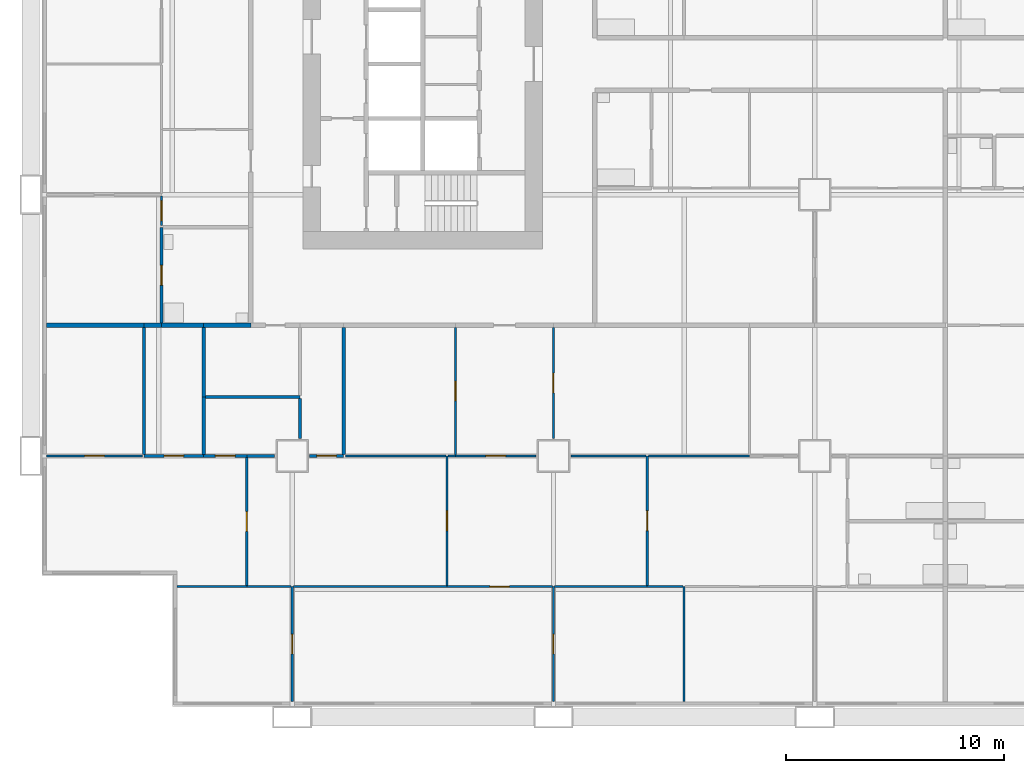
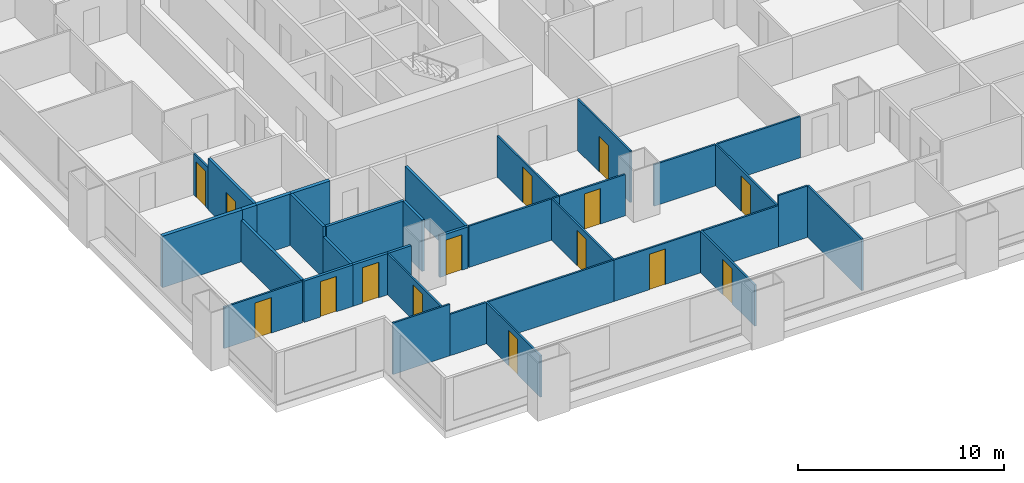
# One storey, part 2 of 13: 36 walls, 15 doors, 15 openings.
"""IFC4 building model written with IfcOpenShell, lengths in metres."""

from ifc_helpers import new_model, si_unit, direction, frame, frame_2d, origin, place, context, subcontext, project, spatial, rectangle, extrude, material, layer, layer_set, type_object, element, fill, save


model = new_model("IFC4")

# Units and contexts
model_context = context("Model", 3, precision=1e-05, world=origin(), true_north=direction((0.0, 1.0)))
body_context = subcontext(model_context, "Body", "Model", "MODEL_VIEW")
ifc_project = project(units=[si_unit("LENGTHUNIT", "METRE"), si_unit("AREAUNIT", "SQUARE_METRE"), si_unit("VOLUMEUNIT", "CUBIC_METRE"), si_unit("PLANEANGLEUNIT", "RADIAN"), si_unit("MASSUNIT", "GRAM", prefix="KILO")], contexts=[model_context])

# Site, building, storey
site_placement = place(None, origin())
site = spatial("IfcSite", under=ifc_project, at=site_placement, CompositionType="ELEMENT")
building_placement = place(site_placement, origin())
building = spatial("IfcBuilding", under=site, at=building_placement, Name="Kitamizu Gate Tower and Museum", CompositionType="ELEMENT")
storey_placement = place(building_placement, frame((0.0, 0.0, 57.60009765625)))
storey = spatial("IfcBuildingStorey", under=building, at=storey_placement, Name="L13", CompositionType="ELEMENT", Elevation=57.60009765625)

# Wall, opening, door
ifc_material_1 = material(Name="Gypsum board on galvanised stud")
ifc_layer_1 = layer(ifc_material_1, 0.10009765625)
ifc_layer_set_1 = layer_set([ifc_layer_1], Name="Gypsum board on galvanised stud")
wall_type_1 = type_object("IfcWallType", Name="Partition 100 NOT RATED", PredefinedType="PARTITIONING", material=ifc_layer_set_1)
wall_1_placement = place(storey_placement, frame((12.0, 0.719970703125, 0.0), z_axis=(0.0, 0.0, 1.0), x_axis=(0.0, 1.0, 0.0)))
wall_1 = element("IfcWall", 1, at=wall_1_placement, inside=storey, type_object=wall_type_1, Name="Partition L13-001", PredefinedType="PARTITIONING", context=body_context, shape_type="SweptSolid", body=[
    extrude(rectangle(XDim=5.280029296875, YDim=0.10009765625, at=frame_2d((2.64013671875, 0.0))), origin(), (0.0, 0.0, 1.0), 2.449951171875),
])
opening_1_placement = place(wall_1_placement, frame((2.18994140625, 0.0, 0.0)))
opening_1 = element("IfcOpeningElement", 2, at=opening_1_placement, cuts=wall_1, Name="Opening L13-006", PredefinedType="OPENING", context=body_context, shape_type="SweptSolid", body=[
    extrude(rectangle(XDim=0.89990234375, YDim=2.10009765625, at=frame_2d((0.449951171875, 1.050048828125))), frame((0.0, 0.06005859375, 0.0), z_axis=(0.0, -1.0, 0.0), x_axis=(1.0, 0.0, 0.0)), (0.0, 0.0, 1.0), 0.1201171875),
])
ifc_material_2 = material(Name="Timber door set", Category="wood")
door_type_1 = type_object("IfcDoorType", Name="Room door 900", OperationType="NOTDEFINED", PredefinedType="DOOR", material=ifc_material_2)
door_1_placement = place(opening_1_placement, origin())
door_1 = element("IfcDoor", 3, at=door_1_placement, inside=storey, type_object=door_type_1, Name="Door L13-006", OperationType="SINGLE_SWING_RIGHT", OverallHeight=2.10009765625, OverallWidth=0.89990234375, PredefinedType="DOOR", context=body_context, shape_type="SweptSolid", body=[
    extrude(rectangle(XDim=0.89990234375, YDim=2.10009765625, at=frame_2d((0.449951171875, 1.050048828125))), frame((0.0, 0.02490234375, 0.0), z_axis=(0.0, -1.0, 0.0), x_axis=(1.0, 0.0, 0.0)), (0.0, 0.0, 1.0), 0.050048828125),
])
fill(opening_1, door_1)

# Walls
wall_2_placement = place(storey_placement, frame((9.9150390625, 6.0, 0.0), z_axis=(0.0, 0.0, 1.0), x_axis=(-1.0, 0.0, 0.0)))
element("IfcWall", 4, at=wall_2_placement, inside=storey, type_object=wall_type_1, Name="Partition L13-002", PredefinedType="PARTITIONING", context=body_context, shape_type="SweptSolid", body=[
    extrude(rectangle(XDim=3.195068359375, YDim=0.10009765625, at=frame_2d((1.59765625, 0.0))), origin(), (0.0, 0.0, 1.0), 3.0498046875),
])
wall_3_placement = place(storey_placement, frame((11.949951171875, 6.0, 0.0), z_axis=(0.0, 0.0, 1.0), x_axis=(-1.0, 0.0, 0.0)))
element("IfcWall", 5, at=wall_3_placement, inside=storey, type_object=wall_type_1, Name="Partition L13-003", PredefinedType="PARTITIONING", context=body_context, shape_type="SweptSolid", body=[
    extrude(rectangle(XDim=2.034912109375, YDim=0.10009765625, at=frame_2d((1.017578125, 0.0))), origin(), (0.0, 0.0, 1.0), 2.449951171875),
])

# Wall, opening, door
wall_4_placement = place(storey_placement, frame((24.0, 0.719970703125, 0.0), z_axis=(0.0, 0.0, 1.0), x_axis=(0.0, 1.0, 0.0)))
wall_4 = element("IfcWall", 6, at=wall_4_placement, inside=storey, type_object=wall_type_1, Name="Partition L13-004", PredefinedType="PARTITIONING", context=body_context, shape_type="SweptSolid", body=[
    extrude(rectangle(XDim=5.280029296875, YDim=0.10009765625, at=frame_2d((2.64013671875, 0.0))), origin(), (0.0, 0.0, 1.0), 2.449951171875),
])
opening_2_placement = place(wall_4_placement, frame((2.18994140625, 0.0, 0.0)))
opening_2 = element("IfcOpeningElement", 7, at=opening_2_placement, cuts=wall_4, Name="Opening L13-009", PredefinedType="OPENING", context=body_context, shape_type="SweptSolid", body=[
    extrude(rectangle(XDim=0.89990234375, YDim=2.10009765625, at=frame_2d((0.449951171875, 1.050048828125))), frame((0.0, 0.06005859375, 0.0), z_axis=(0.0, -1.0, 0.0), x_axis=(1.0, 0.0, 0.0)), (0.0, 0.0, 1.0), 0.1201171875),
])
door_2_placement = place(opening_2_placement, frame((0.89990234375, 0.0, 0.0), x_axis=(-1.0, 0.0, 0.0)))
door_2 = element("IfcDoor", 8, at=door_2_placement, inside=storey, type_object=door_type_1, Name="Door L13-009", OperationType="SINGLE_SWING_RIGHT", OverallHeight=2.10009765625, OverallWidth=0.89990234375, PredefinedType="DOOR", context=body_context, shape_type="SweptSolid", body=[
    extrude(rectangle(XDim=0.89990234375, YDim=2.10009765625, at=frame_2d((0.449951171875, 1.050048828125))), frame((0.0, 0.02490234375, 0.0), z_axis=(0.0, -1.0, 0.0), x_axis=(1.0, 0.0, 0.0)), (0.0, 0.0, 1.0), 0.050048828125),
])
fill(opening_2, door_2)

# Wall
wall_5_placement = place(storey_placement, frame((19.110107421875, 6.0, 0.0), z_axis=(0.0, 0.0, 1.0), x_axis=(-1.0, 0.0, 0.0)))
element("IfcWall", 9, at=wall_5_placement, inside=storey, type_object=wall_type_1, Name="Partition L13-005", PredefinedType="PARTITIONING", context=body_context, shape_type="SweptSolid", body=[
    extrude(rectangle(XDim=7.06005859375, YDim=0.10009765625, at=frame_2d((3.530029296875, 0.0))), origin(), (0.0, 0.0, 1.0), 2.449951171875),
])

# Wall, opening, door
wall_6_placement = place(storey_placement, frame((23.949951171875, 6.0, 0.0), z_axis=(0.0, 0.0, 1.0), x_axis=(-1.0, 0.0, 0.0)))
wall_6 = element("IfcWall", 10, at=wall_6_placement, inside=storey, type_object=wall_type_1, Name="Partition L13-006", PredefinedType="PARTITIONING", context=body_context, shape_type="SweptSolid", body=[
    extrude(rectangle(XDim=4.83984375, YDim=0.10009765625, at=frame_2d((2.419921875, 0.0))), origin(), (0.0, 0.0, 1.0), 2.449951171875),
])
opening_3_placement = place(wall_6_placement, frame((1.969970703125, 0.0, 0.0)))
opening_3 = element("IfcOpeningElement", 11, at=opening_3_placement, cuts=wall_6, Name="Opening L13-003", PredefinedType="OPENING", context=body_context, shape_type="SweptSolid", body=[
    extrude(rectangle(XDim=0.89990234375, YDim=2.10009765625, at=frame_2d((0.449951171875, 1.050048828125))), frame((0.0, 0.06005859375, 0.0), z_axis=(0.0, -1.0, 0.0), x_axis=(1.0, 0.0, 0.0)), (0.0, 0.0, 1.0), 0.1201171875),
])
door_3_placement = place(opening_3_placement, frame((0.89990234375, 0.0, 0.0), x_axis=(-1.0, 0.0, 0.0)))
door_3 = element("IfcDoor", 12, at=door_3_placement, inside=storey, type_object=door_type_1, Name="Door L13-003", OperationType="SINGLE_SWING_RIGHT", OverallHeight=2.10009765625, OverallWidth=0.89990234375, PredefinedType="DOOR", context=body_context, shape_type="SweptSolid", body=[
    extrude(rectangle(XDim=0.89990234375, YDim=2.10009765625, at=frame_2d((0.449951171875, 1.050048828125))), frame((0.0, 0.02490234375, 0.0), z_axis=(0.0, -1.0, 0.0), x_axis=(1.0, 0.0, 0.0)), (0.0, 0.0, 1.0), 0.050048828125),
])
fill(opening_3, door_3)

# Walls
wall_7_placement = place(storey_placement, frame((30.0, 0.719970703125, 0.0), z_axis=(0.0, 0.0, 1.0), x_axis=(0.0, 1.0, 0.0)))
element("IfcWall", 13, at=wall_7_placement, inside=storey, type_object=wall_type_1, Name="Partition L13-007", PredefinedType="PARTITIONING", context=body_context, shape_type="SweptSolid", body=[
    extrude(rectangle(XDim=5.280029296875, YDim=0.10009765625, at=frame_2d((2.64013671875, 0.0))), origin(), (0.0, 0.0, 1.0), 3.0498046875),
])
wall_8_placement = place(storey_placement, frame((28.304931640625, 6.0, 0.0), z_axis=(0.0, 0.0, 1.0), x_axis=(-1.0, 0.0, 0.0)))
element("IfcWall", 14, at=wall_8_placement, inside=storey, type_object=wall_type_1, Name="Partition L13-008", PredefinedType="PARTITIONING", context=body_context, shape_type="SweptSolid", body=[
    extrude(rectangle(XDim=4.2548828125, YDim=0.10009765625, at=frame_2d((2.12744140625, 0.0))), origin(), (0.0, 0.0, 1.0), 2.449951171875),
])
wall_9_placement = place(storey_placement, frame((29.949951171875, 6.0, 0.0), z_axis=(0.0, 0.0, 1.0), x_axis=(-1.0, 0.0, 0.0)))
element("IfcWall", 15, at=wall_9_placement, inside=storey, type_object=wall_type_1, Name="Partition L13-009", PredefinedType="PARTITIONING", context=body_context, shape_type="SweptSolid", body=[
    extrude(rectangle(XDim=1.64501953125, YDim=0.10009765625, at=frame_2d((0.822509765625, 0.0))), origin(), (0.0, 0.0, 1.0), 3.0498046875),
])

# Wall, opening, door
wall_10_placement = place(storey_placement, frame((9.9150390625, 6.050048828125, 0.0), z_axis=(0.0, 0.0, 1.0), x_axis=(0.0, 1.0, 0.0)))
wall_10 = element("IfcWall", 16, at=wall_10_placement, inside=storey, type_object=wall_type_1, Name="Partition L13-015", PredefinedType="PARTITIONING", context=body_context, shape_type="SweptSolid", body=[
    extrude(rectangle(XDim=5.875, YDim=0.10009765625, at=frame_2d((2.9375, 0.0))), origin(), (0.0, 0.0, 1.0), 2.449951171875),
])
opening_4_placement = place(wall_10_placement, frame((2.487548828125, 0.0, 0.0)))
opening_4 = element("IfcOpeningElement", 17, at=opening_4_placement, cuts=wall_10, Name="Opening L13-007", PredefinedType="OPENING", context=body_context, shape_type="SweptSolid", body=[
    extrude(rectangle(XDim=0.89990234375, YDim=2.10009765625, at=frame_2d((0.449951171875, 1.050048828125))), frame((0.0, 0.06005859375, 0.0), z_axis=(0.0, -1.0, 0.0), x_axis=(1.0, 0.0, 0.0)), (0.0, 0.0, 1.0), 0.1201171875),
])
door_4_placement = place(opening_4_placement, frame((0.89990234375, 0.0, 0.0), x_axis=(-1.0, 0.0, 0.0)))
door_4 = element("IfcDoor", 18, at=door_4_placement, inside=storey, type_object=door_type_1, Name="Door L13-007", OperationType="SINGLE_SWING_RIGHT", OverallHeight=2.10009765625, OverallWidth=0.89990234375, PredefinedType="DOOR", context=body_context, shape_type="SweptSolid", body=[
    extrude(rectangle(XDim=0.89990234375, YDim=2.10009765625, at=frame_2d((0.449951171875, 1.050048828125))), frame((0.0, 0.02490234375, 0.0), z_axis=(0.0, -1.0, 0.0), x_axis=(1.0, 0.0, 0.0)), (0.0, 0.0, 1.0), 0.050048828125),
])
fill(opening_4, door_4)

wall_11_placement = place(storey_placement, frame((5.12109375, 12.0, 0.0), z_axis=(0.0, 0.0, 1.0), x_axis=(-1.0, 0.0, 0.0)))
wall_11 = element("IfcWall", 19, at=wall_11_placement, inside=storey, type_object=wall_type_1, Name="Partition L13-016", PredefinedType="PARTITIONING", context=body_context, shape_type="SweptSolid", body=[
    extrude(rectangle(XDim=4.401123046875, YDim=0.10009765625, at=frame_2d((2.20068359375, 0.0))), origin(), (0.0, 0.0, 1.0), 2.449951171875),
])
opening_5_placement = place(wall_11_placement, frame((1.75048828125, 0.0, 0.0)))
opening_5 = element("IfcOpeningElement", 20, at=opening_5_placement, cuts=wall_11, Name="Opening L13-013", PredefinedType="OPENING", context=body_context, shape_type="SweptSolid", body=[
    extrude(rectangle(XDim=0.89990234375, YDim=2.10009765625, at=frame_2d((0.449951171875, 1.050048828125))), frame((0.0, 0.06005859375, 0.0), z_axis=(0.0, -1.0, 0.0), x_axis=(1.0, 0.0, 0.0)), (0.0, 0.0, 1.0), 0.1201171875),
])
door_5_placement = place(opening_5_placement, frame((0.89990234375, 0.0, 0.0), x_axis=(-1.0, 0.0, 0.0)))
door_5 = element("IfcDoor", 21, at=door_5_placement, inside=storey, type_object=door_type_1, Name="Door L13-013", OperationType="SINGLE_SWING_LEFT", OverallHeight=2.10009765625, OverallWidth=0.89990234375, PredefinedType="DOOR", context=body_context, shape_type="SweptSolid", body=[
    extrude(rectangle(XDim=0.89990234375, YDim=2.10009765625, at=frame_2d((0.449951171875, 1.050048828125))), frame((0.0, 0.02490234375, 0.0), z_axis=(0.0, -1.0, 0.0), x_axis=(1.0, 0.0, 0.0)), (0.0, 0.0, 1.0), 0.050048828125),
])
fill(opening_5, door_5)

wall_12_placement = place(storey_placement, frame((19.110107421875, 6.050048828125, 0.0), z_axis=(0.0, 0.0, 1.0), x_axis=(0.0, 1.0, 0.0)))
wall_12 = element("IfcWall", 22, at=wall_12_placement, inside=storey, type_object=wall_type_1, Name="Partition L13-019", PredefinedType="PARTITIONING", context=body_context, shape_type="SweptSolid", body=[
    extrude(rectangle(XDim=5.949951171875, YDim=0.10009765625, at=frame_2d((2.97509765625, 0.0))), origin(), (0.0, 0.0, 1.0), 2.449951171875),
])
opening_6_placement = place(wall_12_placement, frame((2.52490234375, 0.0, 0.0)))
opening_6 = element("IfcOpeningElement", 23, at=opening_6_placement, cuts=wall_12, Name="Opening L13-004", PredefinedType="OPENING", context=body_context, shape_type="SweptSolid", body=[
    extrude(rectangle(XDim=0.89990234375, YDim=2.10009765625, at=frame_2d((0.449951171875, 1.050048828125))), frame((0.0, 0.06005859375, 0.0), z_axis=(0.0, -1.0, 0.0), x_axis=(1.0, 0.0, 0.0)), (0.0, 0.0, 1.0), 0.1201171875),
])
door_6_placement = place(opening_6_placement, origin())
door_6 = element("IfcDoor", 24, at=door_6_placement, inside=storey, type_object=door_type_1, Name="Door L13-004", OperationType="SINGLE_SWING_RIGHT", OverallHeight=2.10009765625, OverallWidth=0.89990234375, PredefinedType="DOOR", context=body_context, shape_type="SweptSolid", body=[
    extrude(rectangle(XDim=0.89990234375, YDim=2.10009765625, at=frame_2d((0.449951171875, 1.050048828125))), frame((0.0, 0.02490234375, 0.0), z_axis=(0.0, -1.0, 0.0), x_axis=(1.0, 0.0, 0.0)), (0.0, 0.0, 1.0), 0.050048828125),
])
fill(opening_6, door_6)

# Wall
wall_13_placement = place(storey_placement, frame((19.06005859375, 12.0, 0.0), z_axis=(0.0, 0.0, 1.0), x_axis=(-1.0, 0.0, 0.0)))
element("IfcWall", 25, at=wall_13_placement, inside=storey, type_object=wall_type_1, Name="Partition L13-022", PredefinedType="PARTITIONING", context=body_context, shape_type="SweptSolid", body=[
    extrude(rectangle(XDim=4.62109375, YDim=0.10009765625, at=frame_2d((2.310546875, 0.0))), origin(), (0.0, 0.0, 1.0), 2.449951171875),
])

# Wall, opening, door
wall_14_placement = place(storey_placement, frame((28.304931640625, 6.050048828125, 0.0), z_axis=(0.0, 0.0, 1.0), x_axis=(0.0, 1.0, 0.0)))
wall_14 = element("IfcWall", 26, at=wall_14_placement, inside=storey, type_object=wall_type_1, Name="Partition L13-023", PredefinedType="PARTITIONING", context=body_context, shape_type="SweptSolid", body=[
    extrude(rectangle(XDim=5.949951171875, YDim=0.10009765625, at=frame_2d((2.97509765625, 0.0))), origin(), (0.0, 0.0, 1.0), 2.449951171875),
])
opening_7_placement = place(wall_14_placement, frame((2.52490234375, 0.0, 0.0)))
opening_7 = element("IfcOpeningElement", 27, at=opening_7_placement, cuts=wall_14, Name="Opening L13-005", PredefinedType="OPENING", context=body_context, shape_type="SweptSolid", body=[
    extrude(rectangle(XDim=0.89990234375, YDim=2.10009765625, at=frame_2d((0.449951171875, 1.050048828125))), frame((0.0, 0.06005859375, 0.0), z_axis=(0.0, -1.0, 0.0), x_axis=(1.0, 0.0, 0.0)), (0.0, 0.0, 1.0), 0.1201171875),
])
door_7_placement = place(opening_7_placement, origin())
door_7 = element("IfcDoor", 28, at=door_7_placement, inside=storey, type_object=door_type_1, Name="Door L13-005", OperationType="SINGLE_SWING_LEFT", OverallHeight=2.10009765625, OverallWidth=0.89990234375, PredefinedType="DOOR", context=body_context, shape_type="SweptSolid", body=[
    extrude(rectangle(XDim=0.89990234375, YDim=2.10009765625, at=frame_2d((0.449951171875, 1.050048828125))), frame((0.0, 0.02490234375, 0.0), z_axis=(0.0, -1.0, 0.0), x_axis=(1.0, 0.0, 0.0)), (0.0, 0.0, 1.0), 0.050048828125),
])
fill(opening_7, door_7)

# Wall
wall_15_placement = place(storey_placement, frame((19.5, 12.0, 0.0), z_axis=(0.0, 0.0, 1.0), x_axis=(-1.0, 0.0, 0.0)))
element("IfcWall", 29, at=wall_15_placement, inside=storey, type_object=wall_type_1, Name="Partition L13-024", PredefinedType="PARTITIONING", context=body_context, shape_type="SweptSolid", body=[
    extrude(rectangle(XDim=0.340087890625, YDim=0.10009765625, at=frame_2d((0.169921875, 0.0))), origin(), (0.0, 0.0, 1.0), 2.449951171875),
])

# Wall, opening, door
wall_16_placement = place(storey_placement, frame((23.199951171875, 12.0, 0.0), z_axis=(0.0, 0.0, 1.0), x_axis=(-1.0, 0.0, 0.0)))
wall_16 = element("IfcWall", 30, at=wall_16_placement, inside=storey, type_object=wall_type_1, Name="Partition L13-025", PredefinedType="PARTITIONING", context=body_context, shape_type="SweptSolid", body=[
    extrude(rectangle(XDim=3.699951171875, YDim=0.10009765625, at=frame_2d((1.85009765625, 0.0))), origin(), (0.0, 0.0, 1.0), 2.449951171875),
])
opening_8_placement = place(wall_16_placement, frame((1.39990234375, 0.0, 0.0)))
opening_8 = element("IfcOpeningElement", 31, at=opening_8_placement, cuts=wall_16, Name="Opening L13-002", PredefinedType="OPENING", context=body_context, shape_type="SweptSolid", body=[
    extrude(rectangle(XDim=0.89990234375, YDim=2.10009765625, at=frame_2d((0.449951171875, 1.050048828125))), frame((0.0, 0.06005859375, 0.0), z_axis=(0.0, -1.0, 0.0), x_axis=(1.0, 0.0, 0.0)), (0.0, 0.0, 1.0), 0.1201171875),
])
door_8_placement = place(opening_8_placement, origin())
door_8 = element("IfcDoor", 32, at=door_8_placement, inside=storey, type_object=door_type_1, Name="Door L13-002", OperationType="SINGLE_SWING_RIGHT", OverallHeight=2.10009765625, OverallWidth=0.89990234375, PredefinedType="DOOR", context=body_context, shape_type="SweptSolid", body=[
    extrude(rectangle(XDim=0.89990234375, YDim=2.10009765625, at=frame_2d((0.449951171875, 1.050048828125))), frame((0.0, 0.02490234375, 0.0), z_axis=(0.0, -1.0, 0.0), x_axis=(1.0, 0.0, 0.0)), (0.0, 0.0, 1.0), 0.050048828125),
])
fill(opening_8, door_8)

# Walls
wall_17_placement = place(storey_placement, frame((28.2548828125, 12.0, 0.0), z_axis=(0.0, 0.0, 1.0), x_axis=(-1.0, 0.0, 0.0)))
element("IfcWall", 33, at=wall_17_placement, inside=storey, type_object=wall_type_1, Name="Partition L13-026", PredefinedType="PARTITIONING", context=body_context, shape_type="SweptSolid", body=[
    extrude(rectangle(XDim=3.454833984375, YDim=0.10009765625, at=frame_2d((1.7275390625, 0.0))), origin(), (0.0, 0.0, 1.0), 2.449951171875),
])
wall_18_placement = place(storey_placement, frame((33.0, 12.0, 0.0), z_axis=(0.0, 0.0, 1.0), x_axis=(-1.0, 0.0, 0.0)))
element("IfcWall", 34, at=wall_18_placement, inside=storey, type_object=wall_type_1, Name="Partition L13-029", PredefinedType="PARTITIONING", context=body_context, shape_type="SweptSolid", body=[
    extrude(rectangle(XDim=4.64501953125, YDim=0.10009765625, at=frame_2d((2.322509765625, 0.0))), origin(), (0.0, 0.0, 1.0), 2.449951171875),
])

# Wall, opening, door
wall_19_placement = place(storey_placement, frame((19.5, 12.050048828125, 0.0), z_axis=(0.0, 0.0, 1.0), x_axis=(0.0, 1.0, 0.0)))
wall_19 = element("IfcWall", 35, at=wall_19_placement, inside=storey, type_object=wall_type_1, Name="Partition L13-049", PredefinedType="PARTITIONING", context=body_context, shape_type="SweptSolid", body=[
    extrude(rectangle(XDim=5.849853515625, YDim=0.10009765625, at=frame_2d((2.9248046875, 0.0))), origin(), (0.0, 0.0, 1.0), 2.449951171875),
])
opening_9_placement = place(wall_19_placement, frame((2.47509765625, 0.0, 0.0)))
opening_9 = element("IfcOpeningElement", 36, at=opening_9_placement, cuts=wall_19, Name="Opening L13-017", PredefinedType="OPENING", context=body_context, shape_type="SweptSolid", body=[
    extrude(rectangle(XDim=0.89990234375, YDim=2.10009765625, at=frame_2d((0.449951171875, 1.050048828125))), frame((0.0, 0.06005859375, 0.0), z_axis=(0.0, -1.0, 0.0), x_axis=(1.0, 0.0, 0.0)), (0.0, 0.0, 1.0), 0.1201171875),
])
door_9_placement = place(opening_9_placement, origin())
door_9 = element("IfcDoor", 37, at=door_9_placement, inside=storey, type_object=door_type_1, Name="Door L13-017", OperationType="SINGLE_SWING_LEFT", OverallHeight=2.10009765625, OverallWidth=0.89990234375, PredefinedType="DOOR", context=body_context, shape_type="SweptSolid", body=[
    extrude(rectangle(XDim=0.89990234375, YDim=2.10009765625, at=frame_2d((0.449951171875, 1.050048828125))), frame((0.0, 0.02490234375, 0.0), z_axis=(0.0, -1.0, 0.0), x_axis=(1.0, 0.0, 0.0)), (0.0, 0.0, 1.0), 0.050048828125),
])
fill(opening_9, door_9)

wall_20_placement = place(storey_placement, frame((24.0, 12.800048828125, 0.0), z_axis=(0.0, 0.0, 1.0), x_axis=(0.0, 1.0, 0.0)))
wall_20 = element("IfcWall", 38, at=wall_20_placement, inside=storey, type_object=wall_type_1, Name="Partition L13-051", PredefinedType="PARTITIONING", context=body_context, shape_type="SweptSolid", body=[
    extrude(rectangle(XDim=5.099853515625, YDim=0.10009765625, at=frame_2d((2.5498046875, 0.0))), origin(), (0.0, 0.0, 1.0), 3.0498046875),
])
opening_10_placement = place(wall_20_placement, frame((2.10009765625, 0.0, 0.0)))
opening_10 = element("IfcOpeningElement", 39, at=opening_10_placement, cuts=wall_20, Name="Opening L13-018", PredefinedType="OPENING", context=body_context, shape_type="SweptSolid", body=[
    extrude(rectangle(XDim=0.89990234375, YDim=2.10009765625, at=frame_2d((0.449951171875, 1.050048828125))), frame((0.0, 0.06005859375, 0.0), z_axis=(0.0, -1.0, 0.0), x_axis=(1.0, 0.0, 0.0)), (0.0, 0.0, 1.0), 0.1201171875),
])
door_10_placement = place(opening_10_placement, frame((0.89990234375, 0.0, 0.0), x_axis=(-1.0, 0.0, 0.0)))
door_10 = element("IfcDoor", 40, at=door_10_placement, inside=storey, type_object=door_type_1, Name="Door L13-018", OperationType="SINGLE_SWING_LEFT", OverallHeight=2.10009765625, OverallWidth=0.89990234375, PredefinedType="DOOR", context=body_context, shape_type="SweptSolid", body=[
    extrude(rectangle(XDim=0.89990234375, YDim=2.10009765625, at=frame_2d((0.449951171875, 1.050048828125))), frame((0.0, 0.02490234375, 0.0), z_axis=(0.0, -1.0, 0.0), x_axis=(1.0, 0.0, 0.0)), (0.0, 0.0, 1.0), 0.050048828125),
])
fill(opening_10, door_10)

wall_21_placement = place(storey_placement, frame((6.0, 22.574951171875, 0.0), z_axis=(0.0, 0.0, 1.0), x_axis=(0.0, 1.0, 0.0)))
wall_21 = element("IfcWall", 41, at=wall_21_placement, inside=storey, type_object=wall_type_1, Name="Partition L13-158", PredefinedType="PARTITIONING", context=body_context, shape_type="SweptSolid", body=[
    extrude(rectangle(XDim=1.375, YDim=0.10009765625, at=frame_2d((0.6875, 0.0))), origin(), (0.0, 0.0, 1.0), 2.449951171875),
])
opening_11_placement = place(wall_21_placement, frame((0.237548828125, 0.0, 0.0)))
opening_11 = element("IfcOpeningElement", 42, at=opening_11_placement, cuts=wall_21, Name="Opening L13-056", PredefinedType="OPENING", context=body_context, shape_type="SweptSolid", body=[
    extrude(rectangle(XDim=0.89990234375, YDim=2.10009765625, at=frame_2d((0.449951171875, 1.050048828125))), frame((0.0, 0.06005859375, 0.0), z_axis=(0.0, -1.0, 0.0), x_axis=(1.0, 0.0, 0.0)), (0.0, 0.0, 1.0), 0.1201171875),
])
door_11_placement = place(opening_11_placement, origin())
door_11 = element("IfcDoor", 43, at=door_11_placement, inside=storey, type_object=door_type_1, Name="Door L13-056", OperationType="SINGLE_SWING_LEFT", OverallHeight=2.10009765625, OverallWidth=0.89990234375, PredefinedType="DOOR", context=body_context, shape_type="SweptSolid", body=[
    extrude(rectangle(XDim=0.89990234375, YDim=2.10009765625, at=frame_2d((0.449951171875, 1.050048828125))), frame((0.0, 0.02490234375, 0.0), z_axis=(0.0, -1.0, 0.0), x_axis=(1.0, 0.0, 0.0)), (0.0, 0.0, 1.0), 0.050048828125),
])
fill(opening_11, door_11)

ifc_material_3 = material(Name="Gypsum board on galvanised stud")
ifc_layer_2 = layer(ifc_material_3, 0.14990234375)
ifc_layer_set_2 = layer_set([ifc_layer_2], Name="Gypsum board on galvanised stud")
wall_type_2 = type_object("IfcWallType", Name="Partition 150", PredefinedType="PARTITIONING", material=ifc_layer_set_2)
wall_22_placement = place(storey_placement, frame((7.93896484375, 12.0, 0.0), z_axis=(0.0, 0.0, 1.0), x_axis=(-1.0, 0.0, 0.0)))
wall_22 = element("IfcWall", 44, at=wall_22_placement, inside=storey, type_object=wall_type_2, Name="Partition L13-017", PredefinedType="PARTITIONING", context=body_context, shape_type="SweptSolid", body=[
    extrude(rectangle(XDim=2.742919921875, YDim=0.14990234375, at=frame_2d((1.37158203125, 0.0))), origin(), (0.0, 0.0, 1.0), 2.449951171875),
])
opening_12_placement = place(wall_22_placement, frame((0.92138671875, 0.0, 0.0)))
opening_12 = element("IfcOpeningElement", 45, at=opening_12_placement, cuts=wall_22, Name="Opening L13-014", PredefinedType="OPENING", context=body_context, shape_type="SweptSolid", body=[
    extrude(rectangle(XDim=0.89990234375, YDim=2.10009765625, at=frame_2d((0.449951171875, 1.050048828125))), frame((0.0, 0.0849609375, 0.0), z_axis=(0.0, -1.0, 0.0), x_axis=(1.0, 0.0, 0.0)), (0.0, 0.0, 1.0), 0.169921875),
])
ifc_material_4 = material(Name="Timber door set", Category="wood")
door_type_2 = type_object("IfcDoorType", Name="Bathroom door 900", OperationType="NOTDEFINED", PredefinedType="DOOR", material=ifc_material_4)
door_12_placement = place(opening_12_placement, frame((0.89990234375, 0.0, 0.0), x_axis=(-1.0, 0.0, 0.0)))
door_12 = element("IfcDoor", 46, at=door_12_placement, inside=storey, type_object=door_type_2, Name="Bathroom door L13-014", OperationType="SINGLE_SWING_RIGHT", OverallHeight=2.10009765625, OverallWidth=0.89990234375, PredefinedType="DOOR", context=body_context, shape_type="SweptSolid", body=[
    extrude(rectangle(XDim=0.89990234375, YDim=2.10009765625, at=frame_2d((0.449951171875, 1.050048828125))), frame((0.0, 0.02490234375, 0.0), z_axis=(0.0, -1.0, 0.0), x_axis=(1.0, 0.0, 0.0)), (0.0, 0.0, 1.0), 0.050048828125),
])
fill(opening_12, door_12)

wall_23_placement = place(storey_placement, frame((9.9150390625, 12.0, 0.0), z_axis=(0.0, 0.0, 1.0), x_axis=(-1.0, 0.0, 0.0)))
wall_23 = element("IfcWall", 47, at=wall_23_placement, inside=storey, type_object=wall_type_2, Name="Partition L13-018", PredefinedType="PARTITIONING", context=body_context, shape_type="SweptSolid", body=[
    extrude(rectangle(XDim=1.97607421875, YDim=0.14990234375, at=frame_2d((0.988037109375, 0.0))), origin(), (0.0, 0.0, 1.0), 2.449951171875),
])
opening_13_placement = place(wall_23_placement, frame((0.5380859375, 0.0, 0.0)))
opening_13 = element("IfcOpeningElement", 48, at=opening_13_placement, cuts=wall_23, Name="Opening L13-015", PredefinedType="OPENING", context=body_context, shape_type="SweptSolid", body=[
    extrude(rectangle(XDim=0.89990234375, YDim=2.10009765625, at=frame_2d((0.449951171875, 1.050048828125))), frame((0.0, 0.0849609375, 0.0), z_axis=(0.0, -1.0, 0.0), x_axis=(1.0, 0.0, 0.0)), (0.0, 0.0, 1.0), 0.169921875),
])
door_13_placement = place(opening_13_placement, frame((0.89990234375, 0.0, 0.0), x_axis=(-1.0, 0.0, 0.0)))
door_13 = element("IfcDoor", 49, at=door_13_placement, inside=storey, type_object=door_type_2, Name="Bathroom door L13-015", OperationType="SINGLE_SWING_RIGHT", OverallHeight=2.10009765625, OverallWidth=0.89990234375, PredefinedType="DOOR", context=body_context, shape_type="SweptSolid", body=[
    extrude(rectangle(XDim=0.89990234375, YDim=2.10009765625, at=frame_2d((0.449951171875, 1.050048828125))), frame((0.0, 0.02490234375, 0.0), z_axis=(0.0, -1.0, 0.0), x_axis=(1.0, 0.0, 0.0)), (0.0, 0.0, 1.0), 0.050048828125),
])
fill(opening_13, door_13)

# Wall
wall_24_placement = place(storey_placement, frame((11.199951171875, 12.0, 0.0), z_axis=(0.0, 0.0, 1.0), x_axis=(-1.0, 0.0, 0.0)))
element("IfcWall", 50, at=wall_24_placement, inside=storey, type_object=wall_type_2, Name="Partition L13-020", PredefinedType="PARTITIONING", context=body_context, shape_type="SweptSolid", body=[
    extrude(rectangle(XDim=1.284912109375, YDim=0.14990234375, at=frame_2d((0.642578125, 0.0))), origin(), (0.0, 0.0, 1.0), 2.449951171875),
])

# Wall, opening, door
wall_25_placement = place(storey_placement, frame((14.364013671875, 12.0, 0.0), z_axis=(0.0, 0.0, 1.0), x_axis=(-1.0, 0.0, 0.0)))
wall_25 = element("IfcWall", 51, at=wall_25_placement, inside=storey, type_object=wall_type_2, Name="Partition L13-021", PredefinedType="PARTITIONING", context=body_context, shape_type="SweptSolid", body=[
    extrude(rectangle(XDim=1.56396484375, YDim=0.14990234375, at=frame_2d((0.781982421875, 0.0))), origin(), (0.0, 0.0, 1.0), 2.449951171875),
])
opening_14_placement = place(wall_25_placement, frame((0.33203125, 0.0, 0.0)))
opening_14 = element("IfcOpeningElement", 52, at=opening_14_placement, cuts=wall_25, Name="Opening L13-016", PredefinedType="OPENING", context=body_context, shape_type="SweptSolid", body=[
    extrude(rectangle(XDim=0.89990234375, YDim=2.10009765625, at=frame_2d((0.449951171875, 1.050048828125))), frame((0.0, 0.0849609375, 0.0), z_axis=(0.0, -1.0, 0.0), x_axis=(1.0, 0.0, 0.0)), (0.0, 0.0, 1.0), 0.169921875),
])
door_14_placement = place(opening_14_placement, frame((0.89990234375, 0.0, 0.0), x_axis=(-1.0, 0.0, 0.0)))
door_14 = element("IfcDoor", 53, at=door_14_placement, inside=storey, type_object=door_type_2, Name="Bathroom door L13-016", OperationType="SINGLE_SWING_LEFT", OverallHeight=2.10009765625, OverallWidth=0.89990234375, PredefinedType="DOOR", context=body_context, shape_type="SweptSolid", body=[
    extrude(rectangle(XDim=0.89990234375, YDim=2.10009765625, at=frame_2d((0.449951171875, 1.050048828125))), frame((0.0, 0.02490234375, 0.0), z_axis=(0.0, -1.0, 0.0), x_axis=(1.0, 0.0, 0.0)), (0.0, 0.0, 1.0), 0.050048828125),
])
fill(opening_14, door_14)

# Walls
wall_26_placement = place(storey_placement, frame((5.196044921875, 12.074951171875, 0.0), z_axis=(0.0, 0.0, 1.0), x_axis=(0.0, 1.0, 0.0)))
element("IfcWall", 54, at=wall_26_placement, inside=storey, type_object=wall_type_2, Name="Partition L13-036", PredefinedType="PARTITIONING", context=body_context, shape_type="SweptSolid", body=[
    extrude(rectangle(XDim=5.824951171875, YDim=0.14990234375, at=frame_2d((2.91259765625, 0.0))), origin(), (0.0, 0.0, 1.0), 2.449951171875),
])
wall_27_placement = place(storey_placement, frame((7.93896484375, 12.074951171875, 0.0), z_axis=(0.0, 0.0, 1.0), x_axis=(0.0, 1.0, 0.0)))
element("IfcWall", 55, at=wall_27_placement, inside=storey, type_object=wall_type_2, Name="Partition L13-038", PredefinedType="PARTITIONING", context=body_context, shape_type="SweptSolid", body=[
    extrude(rectangle(XDim=2.636962890625, YDim=0.14990234375, at=frame_2d((1.318359375, 0.0))), origin(), (0.0, 0.0, 1.0), 2.449951171875),
])
wall_28_placement = place(storey_placement, frame((7.93896484375, 14.7119140625, 0.0), z_axis=(0.0, 0.0, 1.0), x_axis=(0.0, 1.0, 0.0)))
element("IfcWall", 56, at=wall_28_placement, inside=storey, type_object=wall_type_2, Name="Partition L13-039", PredefinedType="PARTITIONING", context=body_context, shape_type="SweptSolid", body=[
    extrude(rectangle(XDim=3.18798828125, YDim=0.14990234375, at=frame_2d((1.593994140625, 0.0))), origin(), (0.0, 0.0, 1.0), 3.0498046875),
])
wall_29_placement = place(storey_placement, frame((12.364013671875, 14.7119140625, 0.0), z_axis=(0.0, 0.0, 1.0), x_axis=(-1.0, 0.0, 0.0)))
element("IfcWall", 57, at=wall_29_placement, inside=storey, type_object=wall_type_2, Name="Partition L13-042", PredefinedType="PARTITIONING", context=body_context, shape_type="SweptSolid", body=[
    extrude(rectangle(XDim=4.35009765625, YDim=0.14990234375, at=frame_2d((2.175048828125, 0.0))), origin(), (0.0, 0.0, 1.0), 3.0498046875),
])
wall_30_placement = place(storey_placement, frame((12.364013671875, 12.800048828125, 0.0), z_axis=(0.0, 0.0, 1.0), x_axis=(0.0, 1.0, 0.0)))
element("IfcWall", 58, at=wall_30_placement, inside=storey, type_object=wall_type_2, Name="Partition L13-043", PredefinedType="PARTITIONING", context=body_context, shape_type="SweptSolid", body=[
    extrude(rectangle(XDim=1.8369140625, YDim=0.14990234375, at=frame_2d((0.91845703125, 0.0))), origin(), (0.0, 0.0, 1.0), 3.0498046875),
])
wall_31_placement = place(storey_placement, frame((14.364013671875, 12.074951171875, 0.0), z_axis=(0.0, 0.0, 1.0), x_axis=(0.0, 1.0, 0.0)))
element("IfcWall", 59, at=wall_31_placement, inside=storey, type_object=wall_type_2, Name="Partition L13-047", PredefinedType="PARTITIONING", context=body_context, shape_type="SweptSolid", body=[
    extrude(rectangle(XDim=5.824951171875, YDim=0.14990234375, at=frame_2d((2.91259765625, 0.0))), origin(), (0.0, 0.0, 1.0), 2.449951171875),
])

# Wall, opening, door
wall_32_placement = place(storey_placement, frame((6.0, 18.10009765625, 0.0), z_axis=(0.0, 0.0, 1.0), x_axis=(0.0, 1.0, 0.0)))
wall_32 = element("IfcWall", 60, at=wall_32_placement, inside=storey, type_object=wall_type_2, Name="Partition L13-157", PredefinedType="PARTITIONING", context=body_context, shape_type="SweptSolid", body=[
    extrude(rectangle(XDim=4.39990234375, YDim=0.14990234375, at=frame_2d((2.199951171875, 0.0))), origin(), (0.0, 0.0, 1.0), 3.0498046875),
])
opening_15_placement = place(wall_32_placement, frame((1.75, 0.0, 0.0)))
opening_15 = element("IfcOpeningElement", 61, at=opening_15_placement, cuts=wall_32, Name="Opening L13-060", PredefinedType="OPENING", context=body_context, shape_type="SweptSolid", body=[
    extrude(rectangle(XDim=0.89990234375, YDim=2.10009765625, at=frame_2d((0.449951171875, 1.050048828125))), frame((0.0, 0.0849609375, 0.0), z_axis=(0.0, -1.0, 0.0), x_axis=(1.0, 0.0, 0.0)), (0.0, 0.0, 1.0), 0.169921875),
])
door_15_placement = place(opening_15_placement, frame((0.89990234375, 0.0, 0.0), x_axis=(-1.0, 0.0, 0.0)))
door_15 = element("IfcDoor", 62, at=door_15_placement, inside=storey, type_object=door_type_2, Name="Bathroom door L13-060", OperationType="SINGLE_SWING_LEFT", OverallHeight=2.10009765625, OverallWidth=0.89990234375, PredefinedType="DOOR", context=body_context, shape_type="SweptSolid", body=[
    extrude(rectangle(XDim=0.89990234375, YDim=2.10009765625, at=frame_2d((0.449951171875, 1.050048828125))), frame((0.0, 0.02490234375, 0.0), z_axis=(0.0, -1.0, 0.0), x_axis=(1.0, 0.0, 0.0)), (0.0, 0.0, 1.0), 0.050048828125),
])
fill(opening_15, door_15)

# Walls
ifc_material_5 = material(Name="Gypsum board on galvanised stud")
ifc_layer_3 = layer(ifc_material_5, 0.199951171875)
ifc_layer_set_3 = layer_set([ifc_layer_3], Name="Gypsum board on galvanised stud")
wall_type_3 = type_object("IfcWallType", Name="Partition 200", PredefinedType="PARTITIONING", material=ifc_layer_set_3)
wall_33_placement = place(storey_placement, frame((5.196044921875, 18.0, 0.0), z_axis=(0.0, 0.0, 1.0), x_axis=(-1.0, 0.0, 0.0)))
element("IfcWall", 63, at=wall_33_placement, inside=storey, type_object=wall_type_3, Name="Partition L13-037", PredefinedType="PARTITIONING", context=body_context, shape_type="SweptSolid", body=[
    extrude(rectangle(XDim=4.47607421875, YDim=0.199951171875, at=frame_2d((2.238037109375, 0.0))), origin(), (0.0, 0.0, 1.0), 3.0498046875),
])
wall_34_placement = place(storey_placement, frame((6.0, 18.0, 0.0), z_axis=(0.0, 0.0, 1.0), x_axis=(-1.0, 0.0, 0.0)))
element("IfcWall", 64, at=wall_34_placement, inside=storey, type_object=wall_type_3, Name="Partition L13-040", PredefinedType="PARTITIONING", context=body_context, shape_type="SweptSolid", body=[
    extrude(rectangle(XDim=0.803955078125, YDim=0.199951171875, at=frame_2d((0.40185546875, 0.0))), origin(), (0.0, 0.0, 1.0), 3.0498046875),
])
wall_35_placement = place(storey_placement, frame((7.93896484375, 18.0, 0.0), z_axis=(0.0, 0.0, 1.0), x_axis=(-1.0, 0.0, 0.0)))
element("IfcWall", 65, at=wall_35_placement, inside=storey, type_object=wall_type_3, Name="Partition L13-041", PredefinedType="PARTITIONING", context=body_context, shape_type="SweptSolid", body=[
    extrude(rectangle(XDim=1.93896484375, YDim=0.199951171875, at=frame_2d((0.969482421875, 0.0))), origin(), (0.0, 0.0, 1.0), 3.0498046875),
])
wall_36_placement = place(storey_placement, frame((10.10009765625, 18.0, 0.0), z_axis=(0.0, 0.0, 1.0), x_axis=(-1.0, 0.0, 0.0)))
element("IfcWall", 66, at=wall_36_placement, inside=storey, type_object=wall_type_3, Name="Partition L13-045", PredefinedType="PARTITIONING", context=body_context, shape_type="SweptSolid", body=[
    extrude(rectangle(XDim=2.1611328125, YDim=0.199951171875, at=frame_2d((1.08056640625, 0.0))), origin(), (0.0, 0.0, 1.0), 3.0498046875),
])

save(model, "model.ifc")
